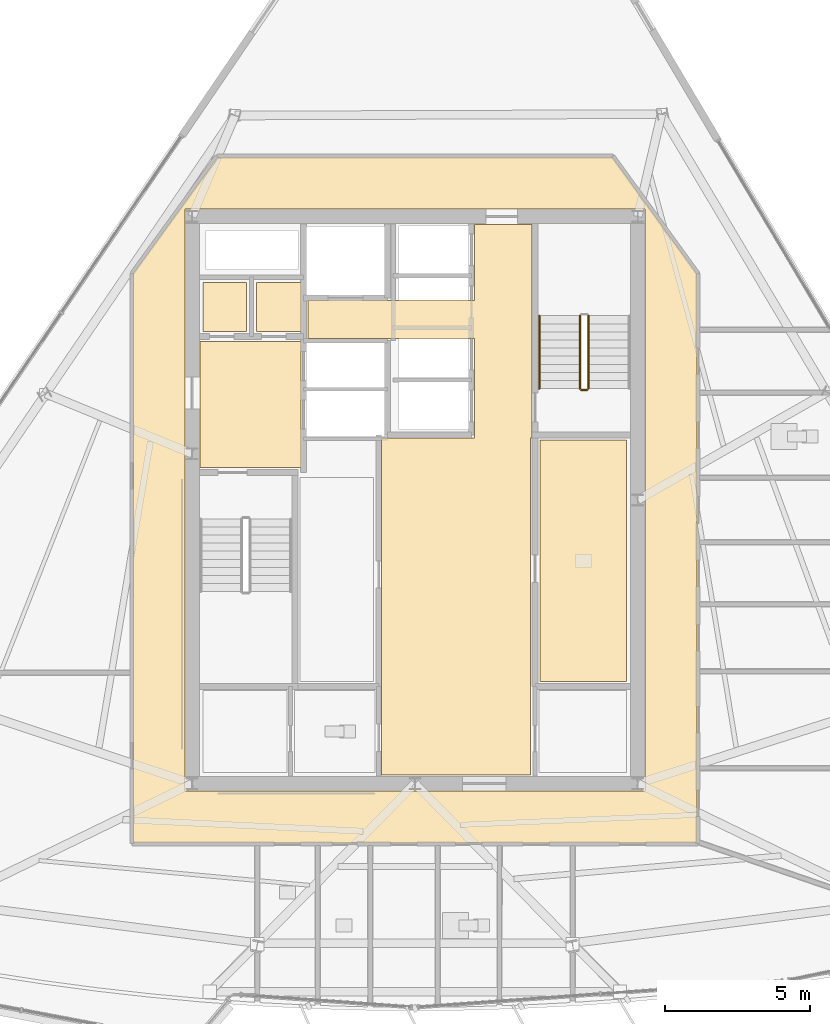
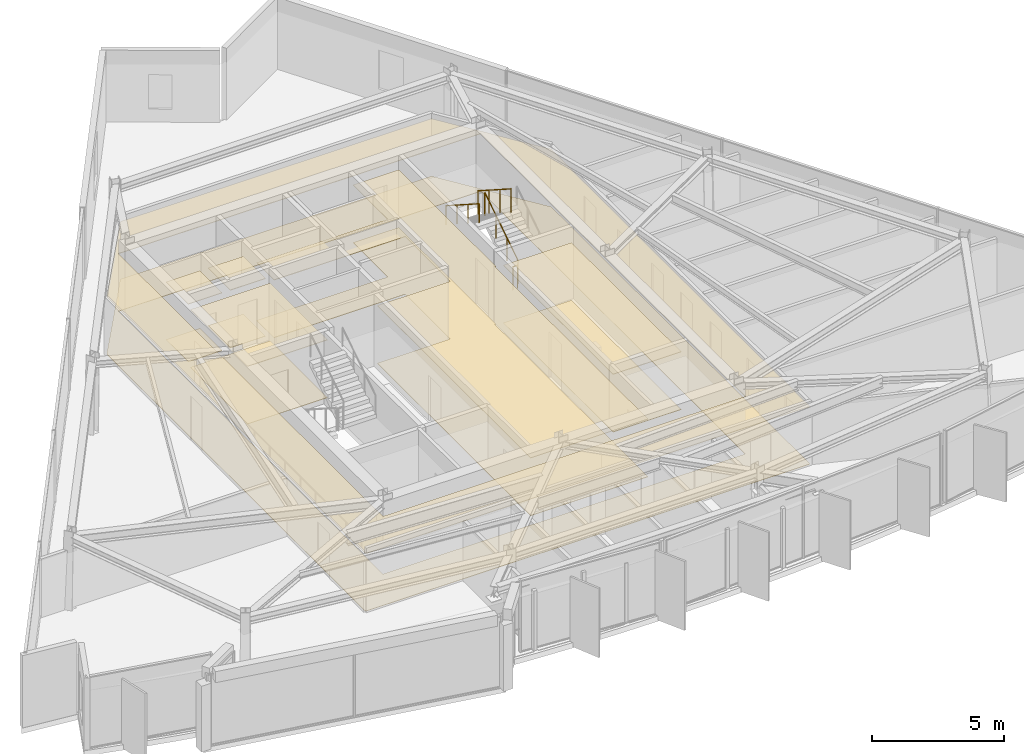
# One storey, part 11 of 14: 12 coverings, 4 railings.
"""IFC4 building model written with IfcOpenShell, lengths in metres."""

from ifc_helpers import new_model, si_unit, direction, frame, origin, origin_2d, place, context, subcontext, project, spatial, polyline, circle, outline, extrude, material, layer, layer_set, type_object, element, save


model = new_model("IFC4")

# Units and contexts
model_context = context("Model", 3, precision=1e-05, world=origin(), true_north=direction((0.0, 1.0)))
body_context = subcontext(model_context, "Body", "Model", "MODEL_VIEW")
ifc_project = project(units=[si_unit("LENGTHUNIT", "METRE"), si_unit("AREAUNIT", "SQUARE_METRE"), si_unit("VOLUMEUNIT", "CUBIC_METRE"), si_unit("PLANEANGLEUNIT", "RADIAN"), si_unit("MASSUNIT", "GRAM", prefix="KILO")], contexts=[model_context])

# Site, building, storey
site_placement = place(None, origin())
site = spatial("IfcSite", under=ifc_project, at=site_placement, CompositionType="ELEMENT")
building_placement = place(site_placement, origin())
building = spatial("IfcBuilding", under=site, at=building_placement, Name="Savorim Split Tower", CompositionType="ELEMENT")
storey_placement = place(building_placement, frame((0.0, 0.0, 230.699951171875)))
storey = spatial("IfcBuildingStorey", under=building, at=storey_placement, Name="L61", CompositionType="ELEMENT", Elevation=230.699951171875)

# Coverings
ifc_material_1 = material(Name="Mineral Fibre Acoustic Ceiling")
ifc_layer_1 = layer(ifc_material_1, 0.02490234375)
ifc_layer_set_1 = layer_set([ifc_layer_1], Name="COV-CEIL-25")
covering_type_1 = type_object("IfcCoveringType", Name="COV-CEIL-25", PredefinedType="CEILING", material=ifc_layer_set_1)
covering_1_placement = place(storey_placement, frame((0.0, 0.0, 2.670166015625)))
element("IfcCovering", 1, at=covering_1_placement, inside=storey, type_object=covering_type_1, Name="L61 Firefighting Lift Lobby Acoustic Ceiling", PredefinedType="CEILING", context=body_context, shape_type="SweptSolid", body=[
    extrude(outline(polyline([(-7.429931640625, 5.8701171875), (-7.429931640625, 1.530029296875), (-3.929931640625, 1.530029296875), (-3.929931640625, 5.8701171875), (-7.429931640625, 5.8701171875)])), origin(), (0.0, 0.0, 1.0), 0.02490234375),
])
covering_2_placement = place(storey_placement, frame((0.0, 0.0, 2.670166015625)))
element("IfcCovering", 2, at=covering_2_placement, inside=storey, type_object=covering_type_1, Name="L61 Electrical Riser Acoustic Ceiling", PredefinedType="CEILING", context=body_context, shape_type="SweptSolid", body=[
    extrude(outline(polyline([(-7.320068359375, 7.919921875), (-7.320068359375, 6.22998046875), (-5.830078125, 6.22998046875), (-5.830078125, 7.919921875), (-7.320068359375, 7.919921875)])), origin(), (0.0, 0.0, 1.0), 0.02490234375),
])
covering_3_placement = place(storey_placement, frame((0.0, 0.0, 2.670166015625)))
element("IfcCovering", 3, at=covering_3_placement, inside=storey, type_object=covering_type_1, Name="L61 Telecom Riser Acoustic Ceiling", PredefinedType="CEILING", context=body_context, shape_type="SweptSolid", body=[
    extrude(outline(polyline([(-5.469970703125, 7.919921875), (-5.469970703125, 6.22998046875), (-3.929931640625, 6.22998046875), (-3.929931640625, 7.919921875), (-5.469970703125, 7.919921875)])), origin(), (0.0, 0.0, 1.0), 0.02490234375),
])
covering_4_placement = place(storey_placement, frame((0.0, 0.0, 2.670166015625)))
element("IfcCovering", 4, at=covering_4_placement, inside=storey, type_object=covering_type_1, Name="L61 Lift Lobby Acoustic Ceiling", PredefinedType="CEILING", context=body_context, shape_type="SweptSolid", body=[
    extrude(outline(polyline([(2.050048828125, 2.550048828125), (-1.14990234375, 2.550048828125), (-1.14990234375, -9.10009765625), (4.0, -9.10009765625), (4.0, 2.550048828125), (4.050048828125, 2.550048828125), (4.050048828125, 5.97998046875), (4.050048828125, 7.300048828125), (4.050048828125, 9.929931640625), (2.050048828125, 9.929931640625), (2.050048828125, 7.300048828125), (-3.699951171875, 7.300048828125), (-3.699951171875, 5.97998046875), (2.050048828125, 5.97998046875), (2.050048828125, 2.550048828125)])), origin(), (0.0, 0.0, 1.0), 0.02490234375),
])
covering_5_placement = place(storey_placement, frame((0.0, 0.0, 2.670166015625)))
element("IfcCovering", 5, at=covering_5_placement, inside=storey, type_object=covering_type_1, Name="L61 Community Laundry Room Acoustic Ceiling", PredefinedType="CEILING", context=body_context, shape_type="SweptSolid", body=[
    extrude(outline(polyline([(4.330078125, 2.469970703125), (4.330078125, -5.8701171875), (7.320068359375, -5.8701171875), (7.320068359375, 2.469970703125), (4.330078125, 2.469970703125)])), origin(), (0.0, 0.0, 1.0), 0.02490234375),
])
covering_6_placement = place(storey_placement, frame((0.0, 0.0, 2.670166015625)))
element("IfcCovering", 6, at=covering_6_placement, inside=storey, type_object=covering_type_1, Name="L61 Corridor Acoustic Ceiling", PredefinedType="CEILING", context=body_context, shape_type="SweptSolid", body=[
    extrude(outline(polyline([(6.809326171875, 12.2490234375), (6.8046875, 12.249755859375), (6.800048828125, 12.25), (-6.800048828125, 12.25), (-6.8046875, 12.249755859375), (-6.809326171875, 12.2490234375), (-6.81396484375, 12.248046875), (-6.818359375, 12.24658203125), (-6.82275390625, 12.244384765625), (-6.826904296875, 12.2421875), (-6.830810546875, 12.239501953125), (-6.834228515625, 12.236328125), (-6.83740234375, 12.23291015625), (-6.840576171875, 12.229248046875), (-9.740478515625, 8.229248046875), (-9.743408203125, 8.22509765625), (-9.74560546875, 8.22021484375), (-9.74755859375, 8.21533203125), (-9.748779296875, 8.21044921875), (-9.749755859375, 8.205078125), (-9.75, 8.199951171875), (-9.75, -11.39990234375), (-9.749755859375, -11.40478515625), (-9.7490234375, -11.409912109375), (-9.747802734375, -11.41455078125), (-9.74609375, -11.419189453125), (-9.744140625, -11.423583984375), (-9.74169921875, -11.427734375), (-9.73876953125, -11.431640625), (-9.7353515625, -11.435302734375), (-9.731689453125, -11.438720703125), (-9.727783203125, -11.441650390625), (-9.7236328125, -11.444091796875), (-9.718994140625, -11.4462890625), (-9.714599609375, -11.44775390625), (-9.709716796875, -11.448974609375), (-9.704833984375, -11.44970703125), (-9.699951171875, -11.449951171875), (9.699951171875, -11.449951171875), (9.704833984375, -11.44970703125), (9.709716796875, -11.448974609375), (9.714599609375, -11.44775390625), (9.718994140625, -11.4462890625), (9.7236328125, -11.444091796875), (9.727783203125, -11.441650390625), (9.731689453125, -11.438720703125), (9.7353515625, -11.435302734375), (9.73876953125, -11.431640625), (9.74169921875, -11.427734375), (9.744140625, -11.423583984375), (9.74609375, -11.419189453125), (9.747802734375, -11.41455078125), (9.7490234375, -11.409912109375), (9.749755859375, -11.40478515625), (9.75, -11.39990234375), (9.75, 8.199951171875), (9.749755859375, 8.205078125), (9.748779296875, 8.21044921875), (9.74755859375, 8.21533203125), (9.74560546875, 8.22021484375), (9.743408203125, 8.22509765625), (9.740478515625, 8.229248046875), (6.840576171875, 12.229248046875), (6.83740234375, 12.23291015625), (6.834228515625, 12.236328125), (6.830810546875, 12.239501953125), (6.826904296875, 12.2421875), (6.82275390625, 12.244384765625), (6.818359375, 12.24658203125), (6.81396484375, 12.248046875), (6.809326171875, 12.2490234375)]), holes=[polyline([(-7.949951171875, 10.449951171875), (-7.949951171875, -9.64990234375), (7.949951171875, -9.64990234375), (7.949951171875, 10.449951171875), (-7.949951171875, 10.449951171875)])]), origin(), (0.0, 0.0, 1.0), 0.02490234375),
])
ifc_material_2 = material(Name="Porcelain Stoneware Flooring", Category="masonry")
ifc_layer_2 = layer(ifc_material_2, 0.02001953125)
ifc_layer_set_2 = layer_set([ifc_layer_2], Name="COV-FLOR-20")
covering_type_2 = type_object("IfcCoveringType", Name="COV-FLOR-20", PredefinedType="FLOORING", material=ifc_layer_set_2)
covering_7_placement = place(storey_placement, origin())
element("IfcCovering", 7, at=covering_7_placement, inside=storey, type_object=covering_type_2, Name="L61 Firefighting Lift Lobby Porcelain Flooring", PredefinedType="FLOORING", context=body_context, shape_type="SweptSolid", body=[
    extrude(outline(polyline([(-7.429931640625, 5.8701171875), (-7.429931640625, 1.530029296875), (-3.929931640625, 1.530029296875), (-3.929931640625, 5.8701171875), (-7.429931640625, 5.8701171875)])), origin(), (0.0, 0.0, 1.0), 0.02001953125),
])
covering_8_placement = place(storey_placement, origin())
element("IfcCovering", 8, at=covering_8_placement, inside=storey, type_object=covering_type_2, Name="L61 Electrical Riser Porcelain Flooring", PredefinedType="FLOORING", context=body_context, shape_type="SweptSolid", body=[
    extrude(outline(polyline([(-7.320068359375, 7.919921875), (-7.320068359375, 6.22998046875), (-5.830078125, 6.22998046875), (-5.830078125, 7.919921875), (-7.320068359375, 7.919921875)])), origin(), (0.0, 0.0, 1.0), 0.02001953125),
])
covering_9_placement = place(storey_placement, origin())
element("IfcCovering", 9, at=covering_9_placement, inside=storey, type_object=covering_type_2, Name="L61 Telecom Riser Porcelain Flooring", PredefinedType="FLOORING", context=body_context, shape_type="SweptSolid", body=[
    extrude(outline(polyline([(-5.469970703125, 7.919921875), (-5.469970703125, 6.22998046875), (-3.929931640625, 6.22998046875), (-3.929931640625, 7.919921875), (-5.469970703125, 7.919921875)])), origin(), (0.0, 0.0, 1.0), 0.02001953125),
])
covering_10_placement = place(storey_placement, origin())
element("IfcCovering", 10, at=covering_10_placement, inside=storey, type_object=covering_type_2, Name="L61 Lift Lobby Porcelain Flooring", PredefinedType="FLOORING", context=body_context, shape_type="SweptSolid", body=[
    extrude(outline(polyline([(2.050048828125, 2.550048828125), (-1.14990234375, 2.550048828125), (-1.14990234375, -9.10009765625), (4.0, -9.10009765625), (4.0, 2.550048828125), (4.050048828125, 2.550048828125), (4.050048828125, 5.97998046875), (4.050048828125, 7.300048828125), (4.050048828125, 9.929931640625), (2.050048828125, 9.929931640625), (2.050048828125, 7.300048828125), (-3.699951171875, 7.300048828125), (-3.699951171875, 5.97998046875), (2.050048828125, 5.97998046875), (2.050048828125, 2.550048828125)])), origin(), (0.0, 0.0, 1.0), 0.02001953125),
])
covering_11_placement = place(storey_placement, origin())
element("IfcCovering", 11, at=covering_11_placement, inside=storey, type_object=covering_type_2, Name="L61 Community Laundry Room Porcelain Flooring", PredefinedType="FLOORING", context=body_context, shape_type="SweptSolid", body=[
    extrude(outline(polyline([(4.330078125, 2.469970703125), (4.330078125, -5.8701171875), (7.320068359375, -5.8701171875), (7.320068359375, 2.469970703125), (4.330078125, 2.469970703125)])), origin(), (0.0, 0.0, 1.0), 0.02001953125),
])
covering_12_placement = place(storey_placement, origin())
element("IfcCovering", 12, at=covering_12_placement, inside=storey, type_object=covering_type_2, Name="L61 Corridor Porcelain Flooring", PredefinedType="FLOORING", context=body_context, shape_type="SweptSolid", body=[
    extrude(outline(polyline([(6.809326171875, 12.2490234375), (6.8046875, 12.249755859375), (6.800048828125, 12.25), (-6.800048828125, 12.25), (-6.8046875, 12.249755859375), (-6.809326171875, 12.2490234375), (-6.81396484375, 12.248046875), (-6.818359375, 12.24658203125), (-6.82275390625, 12.244384765625), (-6.826904296875, 12.2421875), (-6.830810546875, 12.239501953125), (-6.834228515625, 12.236328125), (-6.83740234375, 12.23291015625), (-6.840576171875, 12.229248046875), (-9.740478515625, 8.229248046875), (-9.743408203125, 8.22509765625), (-9.74560546875, 8.22021484375), (-9.74755859375, 8.21533203125), (-9.748779296875, 8.21044921875), (-9.749755859375, 8.205078125), (-9.75, 8.199951171875), (-9.75, -11.39990234375), (-9.749755859375, -11.40478515625), (-9.7490234375, -11.409912109375), (-9.747802734375, -11.41455078125), (-9.74609375, -11.419189453125), (-9.744140625, -11.423583984375), (-9.74169921875, -11.427734375), (-9.73876953125, -11.431640625), (-9.7353515625, -11.435302734375), (-9.731689453125, -11.438720703125), (-9.727783203125, -11.441650390625), (-9.7236328125, -11.444091796875), (-9.718994140625, -11.4462890625), (-9.714599609375, -11.44775390625), (-9.709716796875, -11.448974609375), (-9.704833984375, -11.44970703125), (-9.699951171875, -11.449951171875), (9.699951171875, -11.449951171875), (9.704833984375, -11.44970703125), (9.709716796875, -11.448974609375), (9.714599609375, -11.44775390625), (9.718994140625, -11.4462890625), (9.7236328125, -11.444091796875), (9.727783203125, -11.441650390625), (9.731689453125, -11.438720703125), (9.7353515625, -11.435302734375), (9.73876953125, -11.431640625), (9.74169921875, -11.427734375), (9.744140625, -11.423583984375), (9.74609375, -11.419189453125), (9.747802734375, -11.41455078125), (9.7490234375, -11.409912109375), (9.749755859375, -11.40478515625), (9.75, -11.39990234375), (9.75, 8.199951171875), (9.749755859375, 8.205078125), (9.748779296875, 8.21044921875), (9.74755859375, 8.21533203125), (9.74560546875, 8.22021484375), (9.743408203125, 8.22509765625), (9.740478515625, 8.229248046875), (6.840576171875, 12.229248046875), (6.83740234375, 12.23291015625), (6.834228515625, 12.236328125), (6.830810546875, 12.239501953125), (6.826904296875, 12.2421875), (6.82275390625, 12.244384765625), (6.818359375, 12.24658203125), (6.81396484375, 12.248046875), (6.809326171875, 12.2490234375)]), holes=[polyline([(-7.949951171875, 10.449951171875), (-7.949951171875, -9.64990234375), (7.949951171875, -9.64990234375), (7.949951171875, 10.449951171875), (-7.949951171875, 10.449951171875)])]), origin(), (0.0, 0.0, 1.0), 0.02001953125),
])

# Railings
ifc_material_3 = material(Name="Galvanised Painted Steel Balustrade", Category="steel")
railing_type_1 = type_object("IfcRailingType", Name="RLG-HR-900", PredefinedType="HANDRAIL", material=ifc_material_3)
railing_1_placement = place(storey_placement, frame((4.300048828125, 6.77001953125, 1.97998046875)))
element("IfcRailing", 13, at=railing_1_placement, inside=storey, type_object=railing_type_1, Name="L61 ST-2 stair handrail 2", PredefinedType="HANDRAIL", context=body_context, shape_type="SweptSolid", body=[
    extrude(circle(Radius=0.02392578125, at=origin_2d()), frame((0.0, 0.0, 0.8759765625), z_axis=(0.0, -0.841162588446, 0.540782303519), x_axis=(1.0, 0.0, 0.0)), (0.0, 0.0, 1.0), 2.995849609375),
    extrude(circle(Radius=0.02099609375, at=origin_2d()), origin(), (0.0, 0.0, 1.0), 0.851806640625),
    extrude(circle(Radius=0.02099609375, at=origin_2d()), frame((0.0, -0.840087890625, 0.5400390625)), (0.0, 0.0, 1.0), 0.851806640625),
    extrude(circle(Radius=0.02099609375, at=origin_2d()), frame((0.0, -1.679931640625, 1.080078125)), (0.0, 0.0, 1.0), 0.851806640625),
    extrude(circle(Radius=0.02099609375, at=origin_2d()), frame((0.0, -2.52001953125, 1.6201171875)), (0.0, 0.0, 1.0), 0.851806640625),
])
railing_type_2 = type_object("IfcRailingType", Name="RLG-STG-1100", PredefinedType="BALUSTRADE", material=ifc_material_3)
railing_2_placement = place(storey_placement, frame((6.0, 4.25, 0.179931640625)))
element("IfcRailing", 14, at=railing_2_placement, inside=storey, type_object=railing_type_2, Name="L61 ST-2 stair guard 1", PredefinedType="BALUSTRADE", context=body_context, shape_type="SweptSolid", body=[
    extrude(circle(Radius=0.02392578125, at=origin_2d()), frame((0.0, 0.0, 1.076171875), z_axis=(0.0, 0.841162588446, 0.540782303519), x_axis=(-1.0, 0.0, 0.0)), (0.0, 0.0, 1.0), 2.995849609375),
    extrude(circle(Radius=0.02099609375, at=origin_2d()), origin(), (0.0, 0.0, 1.0), 1.052001953125),
    extrude(circle(Radius=0.02099609375, at=origin_2d()), frame((0.0, 0.840087890625, 0.5400390625)), (0.0, 0.0, 1.0), 1.052001953125),
    extrude(circle(Radius=0.02099609375, at=origin_2d()), frame((0.0, 1.679931640625, 1.080078125)), (0.0, 0.0, 1.0), 1.052001953125),
    extrude(circle(Radius=0.02099609375, at=origin_2d()), frame((0.0, 2.52001953125, 1.6201171875)), (0.0, 0.0, 1.0), 1.052001953125),
])
railing_3_placement = place(storey_placement, frame((5.699951171875, 6.77001953125, 1.97998046875)))
element("IfcRailing", 15, at=railing_3_placement, inside=storey, type_object=railing_type_2, Name="L61 ST-2 stair guard 3", PredefinedType="BALUSTRADE", context=body_context, shape_type="SweptSolid", body=[
    extrude(circle(Radius=0.02392578125, at=origin_2d()), frame((0.0, 0.0, 1.076171875), z_axis=(0.0, -0.841162588446, 0.540782303519), x_axis=(1.0, 0.0, 0.0)), (0.0, 0.0, 1.0), 2.995849609375),
    extrude(circle(Radius=0.02099609375, at=origin_2d()), origin(), (0.0, 0.0, 1.0), 1.052001953125),
    extrude(circle(Radius=0.02099609375, at=origin_2d()), frame((0.0, -0.840087890625, 0.5400390625)), (0.0, 0.0, 1.0), 1.052001953125),
    extrude(circle(Radius=0.02099609375, at=origin_2d()), frame((0.0, -1.679931640625, 1.080078125)), (0.0, 0.0, 1.0), 1.052001953125),
    extrude(circle(Radius=0.02099609375, at=origin_2d()), frame((0.0, -2.52001953125, 1.6201171875)), (0.0, 0.0, 1.0), 1.052001953125),
])
railing_4_placement = place(storey_placement, frame((5.949951171875, 4.199951171875, 0.0)))
element("IfcRailing", 16, at=railing_4_placement, inside=storey, type_object=railing_type_2, Name="L61 ST-2 stair guard 4", PredefinedType="BALUSTRADE", context=body_context, shape_type="SweptSolid", body=[
    extrude(circle(Radius=0.02392578125, at=origin_2d()), frame((0.0, 0.0, 1.076171875), z_axis=(-1.0, 0.0, 0.0), x_axis=(0.0, -1.0, 0.0)), (0.0, 0.0, 1.0), 0.199951171875),
    extrude(circle(Radius=0.02099609375, at=origin_2d()), origin(), (0.0, 0.0, 1.0), 1.052001953125),
    extrude(circle(Radius=0.02099609375, at=origin_2d()), frame((-0.199951171875, 0.0, 0.0)), (0.0, 0.0, 1.0), 1.052001953125),
])

save(model, "model.ifc")
